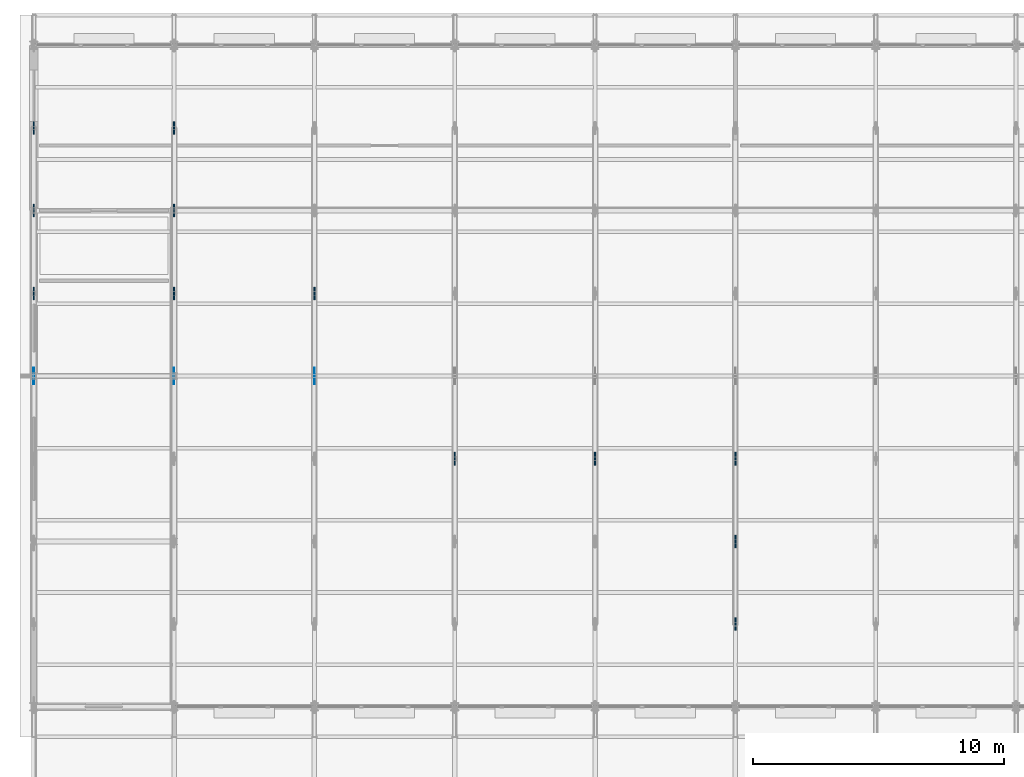
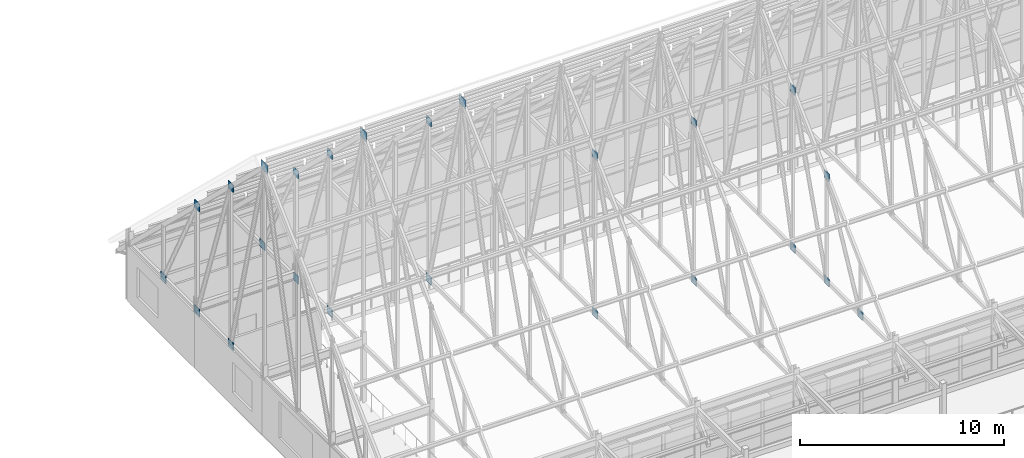
# One storey, part 104 of 144: 24 plates.
"""IFC4 building model written with IfcOpenShell, lengths in metres."""

from ifc_helpers import new_model, si_unit, direction, frame, origin, origin_2d, place, context, subcontext, project, spatial, rectangle, extrude, material, layer, layer_set, type_object, element, save


model = new_model("IFC4")

# Units and contexts
model_context = context("Model", 3, precision=1e-05, world=origin(), true_north=direction((0.0, 1.0)))
body_context = subcontext(model_context, "Body", "Model", "MODEL_VIEW")
ifc_project = project(units=[si_unit("LENGTHUNIT", "METRE"), si_unit("AREAUNIT", "SQUARE_METRE"), si_unit("VOLUMEUNIT", "CUBIC_METRE"), si_unit("PLANEANGLEUNIT", "RADIAN"), si_unit("MASSUNIT", "GRAM", prefix="KILO")], contexts=[model_context])

# Site, building, storey
site_placement = place(None, origin())
site = spatial("IfcSite", under=ifc_project, at=site_placement, CompositionType="ELEMENT")
building_placement = place(site_placement, origin())
building = spatial("IfcBuilding", under=site, at=building_placement, Name="Trelmorton Wharf Fire Station", CompositionType="ELEMENT")
storey_placement = place(building_placement, frame((0.0, 0.0, 5.39990234375)))
storey = spatial("IfcBuildingStorey", under=building, at=storey_placement, Name="L01", CompositionType="ELEMENT", Elevation=5.39990234375)

# Plates
ifc_material = material(Name="Steel Grade 350", Category="steel")
ifc_layer_1 = layer(ifc_material, 0.030029296875)
ifc_layer_set_1 = layer_set([ifc_layer_1], Name="Steel Grade 350")
plate_type_1 = type_object("IfcPlateType", Name="PL_GUSSET_TN1", PredefinedType="USERDEFINED", material=ifc_layer_set_1)
for number, where, z_axis, x_axis, name in (
    (1, (0.800048828125, 21.0, 15.6767578125), (0.0, 0.0, 1.0), (1.0, 0.0, 0.0), "PL-TN-0107"),
    (2, (6.39990234375, 21.0, 15.6767578125), (0.0, 0.0, 1.0), (1.0, 0.0, 0.0), "PL-TN-0120"),
    (3, (12.0, 21.0, 15.6767578125), (0.0, 0.0, 1.0), (1.0, 0.0, 0.0), "PL-TN-0133"),
):
    element("IfcPlate", number, at=place(storey_placement, frame(where, z_axis=z_axis, x_axis=x_axis)), inside=storey, type_object=plate_type_1, Name=name, ObjectType="GUSSET PLATE", PredefinedType="USERDEFINED", context=body_context, shape_type="SweptSolid", body=[
        extrude(rectangle(XDim=0.030029296875, YDim=0.64990234375, at=origin_2d()), origin(), (0.0, 0.0, 1.0), 0.550048828125),
    ])
ifc_layer_2 = layer(ifc_material, 0.050048828125)
ifc_layer_set_2 = layer_set([ifc_layer_2], Name="Steel Grade 350")
plate_type_2 = type_object("IfcPlateType", Name="PL_GUSSET_TN2", PredefinedType="USERDEFINED", material=ifc_layer_set_2)
for number, where, z_axis, x_axis, name in (
    (4, (0.800048828125, 30.89990234375, 3.126953125), (0.0, 0.0, 1.0), (1.0, 0.0, 0.0), "PL-TN-0113"),
    (5, (0.800048828125, 27.60009765625, 9.4267578125), (0.0, 0.0, 1.0), (1.0, 0.0, 0.0), "PL-TN-0114"),
    (6, (0.800048828125, 27.60009765625, 3.126953125), (0.0, 0.0, 1.0), (1.0, 0.0, 0.0), "PL-TN-0115"),
    (7, (0.800048828125, 24.300048828125, 12.5771484375), (0.0, 0.0, 1.0), (1.0, 0.0, 0.0), "PL-TN-0116"),
    (8, (0.800048828125, 24.300048828125, 3.126953125), (0.0, 0.0, 1.0), (1.0, 0.0, 0.0), "PL-TN-0117"),
    (9, (6.39990234375, 30.89990234375, 3.126953125), (0.0, 0.0, 1.0), (1.0, 0.0, 0.0), "PL-TN-0126"),
    (10, (6.39990234375, 27.60009765625, 9.4267578125), (0.0, 0.0, 1.0), (1.0, 0.0, 0.0), "PL-TN-0127"),
    (11, (6.39990234375, 27.60009765625, 3.126953125), (0.0, 0.0, 1.0), (1.0, 0.0, 0.0), "PL-TN-0128"),
    (12, (6.39990234375, 24.300048828125, 12.5771484375), (0.0, 0.0, 1.0), (1.0, 0.0, 0.0), "PL-TN-0129"),
    (13, (6.39990234375, 24.300048828125, 3.126953125), (0.0, 0.0, 1.0), (1.0, 0.0, 0.0), "PL-TN-0130"),
    (14, (12.0, 24.300048828125, 12.5771484375), (0.0, 0.0, 1.0), (1.0, 0.0, 0.0), "PL-TN-0142"),
    (15, (12.0, 24.300048828125, 3.126953125), (0.0, 0.0, 1.0), (1.0, 0.0, 0.0), "PL-TN-0143"),
    (16, (17.60009765625, 17.699951171875, 12.5771484375), (0.0, 0.0, 1.0), (1.0, 0.0, 0.0), "PL-TN-0150"),
    (17, (17.60009765625, 17.699951171875, 3.126953125), (0.0, 0.0, 1.0), (1.0, 0.0, 0.0), "PL-TN-0151"),
    (18, (23.199951171875, 17.699951171875, 12.5771484375), (0.0, 0.0, 1.0), (1.0, 0.0, 0.0), "PL-TN-0163"),
    (19, (23.199951171875, 17.699951171875, 3.126953125), (0.0, 0.0, 1.0), (1.0, 0.0, 0.0), "PL-TN-0164"),
    (20, (28.800048828125, 11.10009765625, 3.126953125), (0.0, 0.0, 1.0), (1.0, 0.0, 0.0), "PL-TN-0173"),
    (21, (28.800048828125, 14.39990234375, 9.4267578125), (0.0, 0.0, 1.0), (1.0, 0.0, 0.0), "PL-TN-0174"),
    (22, (28.800048828125, 14.39990234375, 3.126953125), (0.0, 0.0, 1.0), (1.0, 0.0, 0.0), "PL-TN-0175"),
    (23, (28.800048828125, 17.699951171875, 12.5771484375), (0.0, 0.0, 1.0), (1.0, 0.0, 0.0), "PL-TN-0176"),
    (24, (28.800048828125, 17.699951171875, 3.126953125), (0.0, 0.0, 1.0), (1.0, 0.0, 0.0), "PL-TN-0177"),
):
    element("IfcPlate", number, at=place(storey_placement, frame(where, z_axis=z_axis, x_axis=x_axis)), inside=storey, type_object=plate_type_2, Name=name, ObjectType="GUSSET PLATE", PredefinedType="USERDEFINED", context=body_context, shape_type="SweptSolid", body=[
        extrude(rectangle(XDim=0.050048828125, YDim=0.5, at=origin_2d()), origin(), (0.0, 0.0, 1.0), 0.449951171875),
    ])

save(model, "model.ifc")
